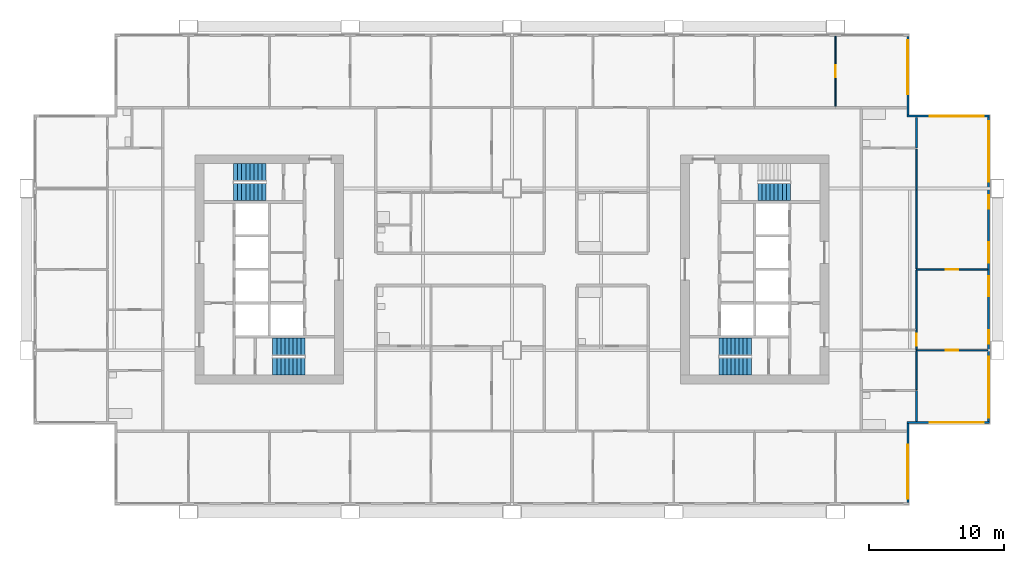
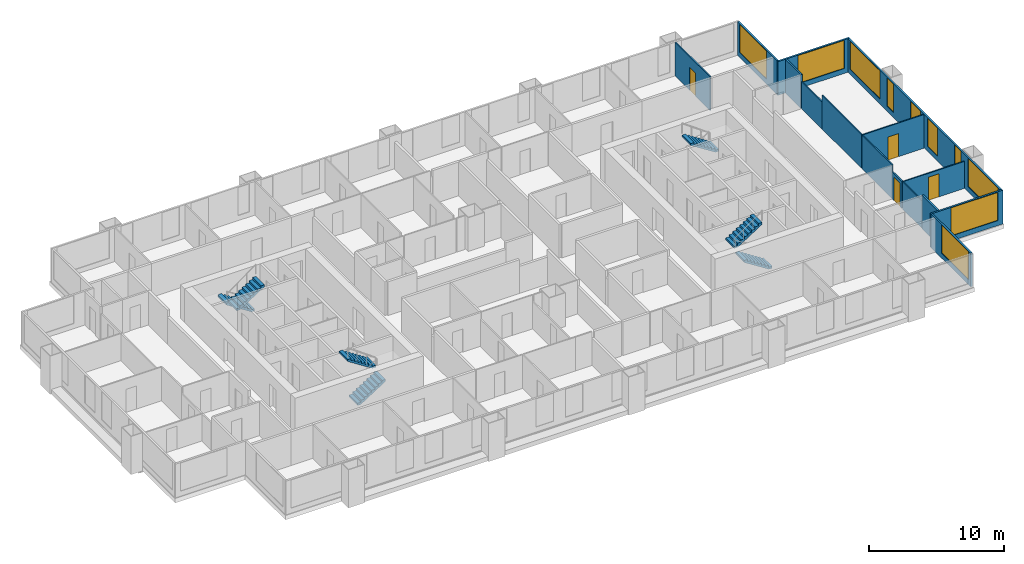
# One storey, part 9 of 12: 15 walls, 10 windows, 7 stair flights, 4 doors, 14 openings, 4 elements without a shape of their own.
"""IFC4 building model written with IfcOpenShell, lengths in metres."""

from ifc_helpers import new_model, si_unit, direction, frame, frame_2d, origin, place, context, subcontext, project, spatial, polyline, rectangle, outline, extrude, material, layer, layer_set, type_object, element, fill, aggregate, save


model = new_model("IFC4")

# Units and contexts
model_context = context("Model", 3, precision=1e-05, world=origin(), true_north=direction((0.0, 1.0)))
body_context = subcontext(model_context, "Body", "Model", "MODEL_VIEW")
ifc_project = project(units=[si_unit("LENGTHUNIT", "METRE"), si_unit("AREAUNIT", "SQUARE_METRE"), si_unit("VOLUMEUNIT", "CUBIC_METRE"), si_unit("PLANEANGLEUNIT", "RADIAN"), si_unit("MASSUNIT", "GRAM", prefix="KILO")], contexts=[model_context])

# Site, building, storey
site_placement = place(None, origin())
site = spatial("IfcSite", under=ifc_project, at=site_placement, CompositionType="ELEMENT")
building_placement = place(site_placement, origin())
building = spatial("IfcBuilding", under=site, at=building_placement, Name="Kitamizu Gate Tower and Museum", CompositionType="ELEMENT")
storey_placement = place(building_placement, frame((0.0, 0.0, 134.550048828125)))
storey = spatial("IfcBuildingStorey", under=building, at=storey_placement, Name="L35", CompositionType="ELEMENT", Elevation=134.550048828125)

# Wall, opening, door
ifc_material_1 = material(Name="Gypsum board on galvanised stud")
ifc_layer_1 = layer(ifc_material_1, 0.10009765625)
ifc_layer_set_1 = layer_set([ifc_layer_1], Name="Gypsum board on galvanised stud")
wall_type_1 = type_object("IfcWallType", Name="Partition 100 NOT RATED", PredefinedType="PARTITIONING", material=ifc_layer_set_1)
wall_1_placement = place(storey_placement, frame((60.0, 42.10009765625, 0.0), z_axis=(0.0, 0.0, 1.0), x_axis=(0.0, 1.0, 0.0)))
wall_1 = element("IfcWall", 1, at=wall_1_placement, inside=storey, type_object=wall_type_1, Name="Partition L35-114", PredefinedType="PARTITIONING", context=body_context, shape_type="SweptSolid", body=[
    extrude(rectangle(XDim=5.179931640625, YDim=0.10009765625, at=frame_2d((2.58984375, 0.0))), origin(), (0.0, 0.0, 1.0), 3.050048828125),
])
opening_1_placement = place(wall_1_placement, frame((2.139892578125, 0.0, 0.0)))
opening_1 = element("IfcOpeningElement", 2, at=opening_1_placement, cuts=wall_1, Name="Opening L35-041", PredefinedType="OPENING", context=body_context, shape_type="SweptSolid", body=[
    extrude(rectangle(XDim=0.89990234375, YDim=2.10009765625, at=frame_2d((0.449951171875, 1.050048828125))), frame((0.0, 0.06005859375, 0.0), z_axis=(0.0, -1.0, 0.0), x_axis=(1.0, 0.0, 0.0)), (0.0, 0.0, 1.0), 0.1201171875),
])
ifc_material_2 = material(Name="Timber door set", Category="wood")
door_type = type_object("IfcDoorType", Name="Room door 900", OperationType="NOTDEFINED", PredefinedType="DOOR", material=ifc_material_2)
door_1_placement = place(opening_1_placement, frame((0.89990234375, 0.0, 0.0), x_axis=(-1.0, 0.0, 0.0)))
door_1 = element("IfcDoor", 3, at=door_1_placement, inside=storey, type_object=door_type, Name="Door L35-041", OperationType="SINGLE_SWING_RIGHT", OverallHeight=2.10009765625, OverallWidth=0.89990234375, PredefinedType="DOOR", context=body_context, shape_type="SweptSolid", body=[
    extrude(rectangle(XDim=0.89990234375, YDim=2.10009765625, at=frame_2d((0.449951171875, 1.050048828125))), frame((0.0, 0.02490234375, 0.0), z_axis=(0.0, -1.0, 0.0), x_axis=(1.0, 0.0, 0.0)), (0.0, 0.0, 1.0), 0.050048828125),
])
fill(opening_1, door_1)

wall_2_placement = place(storey_placement, frame((71.280029296875, 24.0, 0.0), z_axis=(0.0, 0.0, 1.0), x_axis=(-1.0, 0.0, 0.0)))
wall_2 = element("IfcWall", 4, at=wall_2_placement, inside=storey, type_object=wall_type_1, Name="Partition L35-125", PredefinedType="PARTITIONING", context=body_context, shape_type="SweptSolid", body=[
    extrude(rectangle(XDim=5.280029296875, YDim=0.10009765625, at=frame_2d((2.64013671875, 0.0))), origin(), (0.0, 0.0, 1.0), 2.449951171875),
])
opening_2_placement = place(wall_2_placement, frame((2.18994140625, 0.0, 0.0)))
opening_2 = element("IfcOpeningElement", 5, at=opening_2_placement, cuts=wall_2, Name="Opening L35-049", PredefinedType="OPENING", context=body_context, shape_type="SweptSolid", body=[
    extrude(rectangle(XDim=0.89990234375, YDim=2.10009765625, at=frame_2d((0.449951171875, 1.050048828125))), frame((0.0, 0.06005859375, 0.0), z_axis=(0.0, -1.0, 0.0), x_axis=(1.0, 0.0, 0.0)), (0.0, 0.0, 1.0), 0.1201171875),
])
door_2_placement = place(opening_2_placement, origin())
door_2 = element("IfcDoor", 6, at=door_2_placement, inside=storey, type_object=door_type, Name="Door L35-049", OperationType="SINGLE_SWING_LEFT", OverallHeight=2.10009765625, OverallWidth=0.89990234375, PredefinedType="DOOR", context=body_context, shape_type="SweptSolid", body=[
    extrude(rectangle(XDim=0.89990234375, YDim=2.10009765625, at=frame_2d((0.449951171875, 1.050048828125))), frame((0.0, 0.02490234375, 0.0), z_axis=(0.0, -1.0, 0.0), x_axis=(1.0, 0.0, 0.0)), (0.0, 0.0, 1.0), 0.050048828125),
])
fill(opening_2, door_2)

# Wall
wall_3_placement = place(storey_placement, frame((66.0, 23.949951171875, 0.0), z_axis=(0.0, 0.0, 1.0), x_axis=(0.0, -1.0, 0.0)))
element("IfcWall", 7, at=wall_3_placement, inside=storey, type_object=wall_type_1, Name="Partition L35-127", PredefinedType="PARTITIONING", context=body_context, shape_type="SweptSolid", body=[
    extrude(rectangle(XDim=2.875, YDim=0.10009765625, at=frame_2d((1.4375, 0.0))), origin(), (0.0, 0.0, 1.0), 2.449951171875),
])

# Wall, opening, door
wall_4_placement = place(storey_placement, frame((71.280029296875, 30.0, 0.0), z_axis=(0.0, 0.0, 1.0), x_axis=(-1.0, 0.0, 0.0)))
wall_4 = element("IfcWall", 8, at=wall_4_placement, inside=storey, type_object=wall_type_1, Name="Partition L35-128", PredefinedType="PARTITIONING", context=body_context, shape_type="SweptSolid", body=[
    extrude(rectangle(XDim=5.280029296875, YDim=0.10009765625, at=frame_2d((2.64013671875, 0.0))), origin(), (0.0, 0.0, 1.0), 3.050048828125),
])
opening_3_placement = place(wall_4_placement, frame((2.18994140625, 0.0, 0.0)))
opening_3 = element("IfcOpeningElement", 9, at=opening_3_placement, cuts=wall_4, Name="Opening L35-048", PredefinedType="OPENING", context=body_context, shape_type="SweptSolid", body=[
    extrude(rectangle(XDim=0.89990234375, YDim=2.10009765625, at=frame_2d((0.449951171875, 1.050048828125))), frame((0.0, 0.06005859375, 0.0), z_axis=(0.0, -1.0, 0.0), x_axis=(1.0, 0.0, 0.0)), (0.0, 0.0, 1.0), 0.1201171875),
])
door_3_placement = place(opening_3_placement, origin())
door_3 = element("IfcDoor", 10, at=door_3_placement, inside=storey, type_object=door_type, Name="Door L35-048", OperationType="SINGLE_SWING_RIGHT", OverallHeight=2.10009765625, OverallWidth=0.89990234375, PredefinedType="DOOR", context=body_context, shape_type="SweptSolid", body=[
    extrude(rectangle(XDim=0.89990234375, YDim=2.10009765625, at=frame_2d((0.449951171875, 1.050048828125))), frame((0.0, 0.02490234375, 0.0), z_axis=(0.0, -1.0, 0.0), x_axis=(1.0, 0.0, 0.0)), (0.0, 0.0, 1.0), 0.050048828125),
])
fill(opening_3, door_3)

wall_5_placement = place(storey_placement, frame((66.0, 25.5, 0.0), z_axis=(0.0, 0.0, 1.0), x_axis=(0.0, -1.0, 0.0)))
wall_5 = element("IfcWall", 11, at=wall_5_placement, inside=storey, type_object=wall_type_1, Name="Partition L35-129", PredefinedType="PARTITIONING", context=body_context, shape_type="SweptSolid", body=[
    extrude(rectangle(XDim=1.449951171875, YDim=0.10009765625, at=frame_2d((0.72509765625, 0.0))), origin(), (0.0, 0.0, 1.0), 2.449951171875),
])
opening_4_placement = place(wall_5_placement, frame((0.27490234375, 0.0, 0.0)))
opening_4 = element("IfcOpeningElement", 12, at=opening_4_placement, cuts=wall_5, Name="Opening L35-046", PredefinedType="OPENING", context=body_context, shape_type="SweptSolid", body=[
    extrude(rectangle(XDim=0.89990234375, YDim=2.10009765625, at=frame_2d((0.449951171875, 1.050048828125))), frame((0.0, 0.06005859375, 0.0), z_axis=(0.0, -1.0, 0.0), x_axis=(1.0, 0.0, 0.0)), (0.0, 0.0, 1.0), 0.1201171875),
])
door_4_placement = place(opening_4_placement, origin())
door_4 = element("IfcDoor", 13, at=door_4_placement, inside=storey, type_object=door_type, Name="Door L35-046", OperationType="SINGLE_SWING_LEFT", OverallHeight=2.10009765625, OverallWidth=0.89990234375, PredefinedType="DOOR", context=body_context, shape_type="SweptSolid", body=[
    extrude(rectangle(XDim=0.89990234375, YDim=2.10009765625, at=frame_2d((0.449951171875, 1.050048828125))), frame((0.0, 0.02490234375, 0.0), z_axis=(0.0, -1.0, 0.0), x_axis=(1.0, 0.0, 0.0)), (0.0, 0.0, 1.0), 0.050048828125),
])
fill(opening_4, door_4)

# Walls
wall_6_placement = place(storey_placement, frame((66.0, 29.949951171875, 0.0), z_axis=(0.0, 0.0, 1.0), x_axis=(0.0, -1.0, 0.0)))
element("IfcWall", 14, at=wall_6_placement, inside=storey, type_object=wall_type_1, Name="Partition L35-130", PredefinedType="PARTITIONING", context=body_context, shape_type="SweptSolid", body=[
    extrude(rectangle(XDim=4.449951171875, YDim=0.10009765625, at=frame_2d((2.22509765625, 0.0))), origin(), (0.0, 0.0, 1.0), 3.050048828125),
])
wall_7_placement = place(storey_placement, frame((66.0, 38.925048828125, 0.0), z_axis=(0.0, 0.0, 1.0), x_axis=(0.0, -1.0, 0.0)))
element("IfcWall", 15, at=wall_7_placement, inside=storey, type_object=wall_type_1, Name="Partition L35-131", PredefinedType="PARTITIONING", context=body_context, shape_type="SweptSolid", body=[
    extrude(rectangle(XDim=3.025146484375, YDim=0.10009765625, at=frame_2d((1.5126953125, 0.0))), origin(), (0.0, 0.0, 1.0), 2.449951171875),
])
wall_8_placement = place(storey_placement, frame((66.0, 35.89990234375, 0.0), z_axis=(0.0, 0.0, 1.0), x_axis=(0.0, -1.0, 0.0)))
element("IfcWall", 16, at=wall_8_placement, inside=storey, type_object=wall_type_1, Name="Partition L35-132", PredefinedType="PARTITIONING", context=body_context, shape_type="SweptSolid", body=[
    extrude(rectangle(XDim=5.849853515625, YDim=0.10009765625, at=frame_2d((2.9248046875, 0.0))), origin(), (0.0, 0.0, 1.0), 3.050048828125),
])
ifc_material_3 = material(Name="Gypsum board on galvanised stud")
ifc_layer_2 = layer(ifc_material_3, 0.14990234375)
ifc_layer_set_2 = layer_set([ifc_layer_2], Name="Gypsum board on galvanised stud")
wall_type_2 = type_object("IfcWallType", Name="Partition 150", PredefinedType="PARTITIONING", material=ifc_layer_set_2)
for number, where, z_axis, x_axis, name in (
    (17, (66.0, 21.0, 0.0), (0.0, 0.0, 1.0), (0.0, -1.0, 0.0), "Partition L35-126"),
    (18, (66.0, 41.280029296875, 0.0), (0.0, 0.0, 1.0), (0.0, -1.0, 0.0), "Partition L35-133"),
):
    element("IfcWall", number, at=place(storey_placement, frame(where, z_axis=z_axis, x_axis=x_axis)), inside=storey, type_object=wall_type_2, Name=name, PredefinedType="PARTITIONING", context=body_context, shape_type="SweptSolid", body=[
        extrude(rectangle(XDim=2.280029296875, YDim=0.14990234375, at=frame_2d((1.14013671875, 0.0))), origin(), (0.0, 0.0, 1.0), 3.050048828125),
    ])

# Wall, opening, window
ifc_material_4 = material(Name="Bronze anodised aluminium frame with insulated spandrel and tinted glass", Category="aluminium")
ifc_layer_3 = layer(ifc_material_4, 0.14990234375)
ifc_layer_set_3 = layer_set([ifc_layer_3], Name="Bronze anodised aluminium frame with insulated spandrel and tinted glass")
wall_type_3 = type_object("IfcWallType", Name="WINDOW WALL 150 BRONZE FRAME EI 30", PredefinedType="ELEMENTEDWALL", material=ifc_layer_set_3)
wall_9_placement = place(storey_placement, frame((65.364990234375, 12.7099609375, 0.0), z_axis=(0.0, 0.0, 1.0), x_axis=(0.0, 1.0, 0.0)))
wall_9 = element("IfcWall", 19, at=wall_9_placement, inside=storey, type_object=wall_type_3, Name="Window wall east L35", PredefinedType="ELEMENTEDWALL", context=body_context, shape_type="SweptSolid", body=[
    extrude(rectangle(XDim=5.85009765625, YDim=0.14990234375, at=frame_2d((2.925048828125, 0.0))), origin(), (0.0, 0.0, 1.0), 3.050048828125),
])
opening_5_placement = place(wall_9_placement, frame((0.2900390625, 0.0, 0.449951171875)))
opening_5 = element("IfcOpeningElement", 20, at=opening_5_placement, cuts=wall_9, Name="Opening W16", PredefinedType="OPENING", context=body_context, shape_type="SweptSolid", body=[
    extrude(rectangle(XDim=4.0, YDim=2.550048828125, at=frame_2d((2.0, 1.27490234375))), frame((0.0, 0.0849609375, 0.0), z_axis=(0.0, -1.0, 0.0), x_axis=(1.0, 0.0, 0.0)), (0.0, 0.0, 1.0), 0.169921875),
])
ifc_material_5 = material(Name="Bronze anodised aluminium frame, tinted triple glazing", Category="aluminium")
window_type_1 = type_object("IfcWindowType", Name="WINDOW 4000 x 2550 SILL 450", PartitioningType="SINGLE_PANEL", PredefinedType="WINDOW", material=ifc_material_5)
window_1_placement = place(opening_5_placement, origin())
window_1 = element("IfcWindow", 21, at=window_1_placement, inside=storey, type_object=window_type_1, Name="Window W16 L35", OverallHeight=2.550048828125, OverallWidth=4.0, PartitioningType="SINGLE_PANEL", PredefinedType="WINDOW", context=body_context, shape_type="SweptSolid", body=[
    extrude(rectangle(XDim=4.0, YDim=2.550048828125, at=frame_2d((2.0, 1.27490234375))), frame((0.0, 0.030029296875, 0.0), z_axis=(0.0, -1.0, 0.0), x_axis=(1.0, 0.0, 0.0)), (0.0, 0.0, 1.0), 0.06005859375),
])
fill(opening_5, window_1)

wall_10_placement = place(storey_placement, frame((65.2900390625, 18.635009765625, 0.0), z_axis=(0.0, 0.0, 1.0), x_axis=(1.0, 0.0, 0.0)))
wall_10 = element("IfcWall", 22, at=wall_10_placement, inside=storey, type_object=wall_type_3, Name="Window wall south L35", PredefinedType="ELEMENTEDWALL", context=body_context, shape_type="SweptSolid", body=[
    extrude(rectangle(XDim=6.14990234375, YDim=0.14990234375, at=frame_2d((3.074951171875, 0.0))), origin(), (0.0, 0.0, 1.0), 3.050048828125),
])
opening_6_placement = place(wall_10_placement, frame((1.7099609375, 0.0, 0.449951171875)))
opening_6 = element("IfcOpeningElement", 23, at=opening_6_placement, cuts=wall_10, Name="Opening W16", PredefinedType="OPENING", context=body_context, shape_type="SweptSolid", body=[
    extrude(rectangle(XDim=4.0, YDim=2.550048828125, at=frame_2d((2.0, 1.27490234375))), frame((0.0, 0.0849609375, 0.0), z_axis=(0.0, -1.0, 0.0), x_axis=(1.0, 0.0, 0.0)), (0.0, 0.0, 1.0), 0.169921875),
])
window_2_placement = place(opening_6_placement, origin())
window_2 = element("IfcWindow", 24, at=window_2_placement, inside=storey, type_object=window_type_1, Name="Window W16 L35", OverallHeight=2.550048828125, OverallWidth=4.0, PartitioningType="SINGLE_PANEL", PredefinedType="WINDOW", context=body_context, shape_type="SweptSolid", body=[
    extrude(rectangle(XDim=4.0, YDim=2.550048828125, at=frame_2d((2.0, 1.27490234375))), frame((0.0, 0.030029296875, 0.0), z_axis=(0.0, -1.0, 0.0), x_axis=(1.0, 0.0, 0.0)), (0.0, 0.0, 1.0), 0.06005859375),
])
fill(opening_6, window_2)

# Wall, openings, windows
wall_11_placement = place(storey_placement, frame((71.364990234375, 18.7099609375, 0.0), z_axis=(0.0, 0.0, 1.0), x_axis=(0.0, 1.0, 0.0)))
wall_11 = element("IfcWall", 25, at=wall_11_placement, inside=storey, type_object=wall_type_3, Name="Window wall east L35", PredefinedType="ELEMENTEDWALL", context=body_context, shape_type="SweptSolid", body=[
    extrude(rectangle(XDim=22.580078125, YDim=0.14990234375, at=frame_2d((11.2900390625, 0.0))), origin(), (0.0, 0.0, 1.0), 3.050048828125),
])
opening_7_placement = place(wall_11_placement, frame((0.2900390625, 0.0, 0.449951171875)))
opening_7 = element("IfcOpeningElement", 26, at=opening_7_placement, cuts=wall_11, Name="Opening W15", PredefinedType="OPENING", context=body_context, shape_type="SweptSolid", body=[
    extrude(rectangle(XDim=4.5, YDim=2.550048828125, at=frame_2d((2.25, 1.27490234375))), frame((0.0, 0.0849609375, 0.0), z_axis=(0.0, -1.0, 0.0), x_axis=(1.0, 0.0, 0.0)), (0.0, 0.0, 1.0), 0.169921875),
])
opening_8_placement = place(wall_11_placement, frame((5.7900390625, 0.0, 0.449951171875)))
opening_8 = element("IfcOpeningElement", 27, at=opening_8_placement, cuts=wall_11, Name="Opening W26", PredefinedType="OPENING", context=body_context, shape_type="SweptSolid", body=[
    extrude(rectangle(XDim=1.0, YDim=2.550048828125, at=frame_2d((0.5, 1.27490234375))), frame((0.0, 0.0849609375, 0.0), z_axis=(0.0, -1.0, 0.0), x_axis=(1.0, 0.0, 0.0)), (0.0, 0.0, 1.0), 0.169921875),
])
opening_9_placement = place(wall_11_placement, frame((9.2900390625, 0.0, 0.449951171875)))
opening_9 = element("IfcOpeningElement", 28, at=opening_9_placement, cuts=wall_11, Name="Opening W28", PredefinedType="OPENING", context=body_context, shape_type="SweptSolid", body=[
    extrude(rectangle(XDim=1.5, YDim=2.550048828125, at=frame_2d((0.75, 1.27490234375))), frame((0.0, 0.0849609375, 0.0), z_axis=(0.0, -1.0, 0.0), x_axis=(1.0, 0.0, 0.0)), (0.0, 0.0, 1.0), 0.169921875),
])
opening_10_placement = place(wall_11_placement, frame((11.7900390625, 0.0, 0.449951171875)))
opening_10 = element("IfcOpeningElement", 29, at=opening_10_placement, cuts=wall_11, Name="Opening W28", PredefinedType="OPENING", context=body_context, shape_type="SweptSolid", body=[
    extrude(rectangle(XDim=1.5, YDim=2.550048828125, at=frame_2d((0.75, 1.27490234375))), frame((0.0, 0.0849609375, 0.0), z_axis=(0.0, -1.0, 0.0), x_axis=(1.0, 0.0, 0.0)), (0.0, 0.0, 1.0), 0.169921875),
])
opening_11_placement = place(wall_11_placement, frame((15.7900390625, 0.0, 0.449951171875)))
opening_11 = element("IfcOpeningElement", 30, at=opening_11_placement, cuts=wall_11, Name="Opening W26", PredefinedType="OPENING", context=body_context, shape_type="SweptSolid", body=[
    extrude(rectangle(XDim=1.0, YDim=2.550048828125, at=frame_2d((0.5, 1.27490234375))), frame((0.0, 0.0849609375, 0.0), z_axis=(0.0, -1.0, 0.0), x_axis=(1.0, 0.0, 0.0)), (0.0, 0.0, 1.0), 0.169921875),
])
opening_12_placement = place(wall_11_placement, frame((17.7900390625, 0.0, 0.449951171875)))
opening_12 = element("IfcOpeningElement", 31, at=opening_12_placement, cuts=wall_11, Name="Opening W15", PredefinedType="OPENING", context=body_context, shape_type="SweptSolid", body=[
    extrude(rectangle(XDim=4.5, YDim=2.550048828125, at=frame_2d((2.25, 1.27490234375))), frame((0.0, 0.0849609375, 0.0), z_axis=(0.0, -1.0, 0.0), x_axis=(1.0, 0.0, 0.0)), (0.0, 0.0, 1.0), 0.169921875),
])
ifc_material_6 = material(Name="Bronze anodised aluminium frame, tinted triple glazing", Category="aluminium")
window_type_2 = type_object("IfcWindowType", Name="WINDOW 1000 x 2550 SILL 450", PartitioningType="SINGLE_PANEL", PredefinedType="WINDOW", material=ifc_material_6)
window_3_placement = place(opening_8_placement, origin())
window_3 = element("IfcWindow", 32, at=window_3_placement, inside=storey, type_object=window_type_2, Name="Window W26 L35", OverallHeight=2.550048828125, OverallWidth=1.0, PartitioningType="SINGLE_PANEL", PredefinedType="WINDOW", context=body_context, shape_type="SweptSolid", body=[
    extrude(rectangle(XDim=1.0, YDim=2.550048828125, at=frame_2d((0.5, 1.27490234375))), frame((0.0, 0.030029296875, 0.0), z_axis=(0.0, -1.0, 0.0), x_axis=(1.0, 0.0, 0.0)), (0.0, 0.0, 1.0), 0.06005859375),
])
fill(opening_8, window_3)
window_4_placement = place(opening_11_placement, origin())
window_4 = element("IfcWindow", 33, at=window_4_placement, inside=storey, type_object=window_type_2, Name="Window W26 L35", OverallHeight=2.550048828125, OverallWidth=1.0, PartitioningType="SINGLE_PANEL", PredefinedType="WINDOW", context=body_context, shape_type="SweptSolid", body=[
    extrude(rectangle(XDim=1.0, YDim=2.550048828125, at=frame_2d((0.5, 1.27490234375))), frame((0.0, 0.030029296875, 0.0), z_axis=(0.0, -1.0, 0.0), x_axis=(1.0, 0.0, 0.0)), (0.0, 0.0, 1.0), 0.06005859375),
])
fill(opening_11, window_4)
ifc_material_7 = material(Name="Bronze anodised aluminium frame, tinted triple glazing", Category="aluminium")
window_type_3 = type_object("IfcWindowType", Name="WINDOW 1500 x 2550 SILL 450", PartitioningType="SINGLE_PANEL", PredefinedType="WINDOW", material=ifc_material_7)
window_5_placement = place(opening_9_placement, origin())
window_5 = element("IfcWindow", 34, at=window_5_placement, inside=storey, type_object=window_type_3, Name="Window W28 L35", OverallHeight=2.550048828125, OverallWidth=1.5, PartitioningType="SINGLE_PANEL", PredefinedType="WINDOW", context=body_context, shape_type="SweptSolid", body=[
    extrude(rectangle(XDim=1.5, YDim=2.550048828125, at=frame_2d((0.75, 1.27490234375))), frame((0.0, 0.030029296875, 0.0), z_axis=(0.0, -1.0, 0.0), x_axis=(1.0, 0.0, 0.0)), (0.0, 0.0, 1.0), 0.06005859375),
])
fill(opening_9, window_5)
window_6_placement = place(opening_10_placement, origin())
window_6 = element("IfcWindow", 35, at=window_6_placement, inside=storey, type_object=window_type_3, Name="Window W28 L35", OverallHeight=2.550048828125, OverallWidth=1.5, PartitioningType="SINGLE_PANEL", PredefinedType="WINDOW", context=body_context, shape_type="SweptSolid", body=[
    extrude(rectangle(XDim=1.5, YDim=2.550048828125, at=frame_2d((0.75, 1.27490234375))), frame((0.0, 0.030029296875, 0.0), z_axis=(0.0, -1.0, 0.0), x_axis=(1.0, 0.0, 0.0)), (0.0, 0.0, 1.0), 0.06005859375),
])
fill(opening_10, window_6)
ifc_material_8 = material(Name="Bronze anodised aluminium frame, tinted triple glazing", Category="aluminium")
window_type_4 = type_object("IfcWindowType", Name="WINDOW 4500 x 2550 SILL 450", PartitioningType="SINGLE_PANEL", PredefinedType="WINDOW", material=ifc_material_8)
window_7_placement = place(opening_7_placement, origin())
window_7 = element("IfcWindow", 36, at=window_7_placement, inside=storey, type_object=window_type_4, Name="Window W15 L35", OverallHeight=2.550048828125, OverallWidth=4.5, PartitioningType="SINGLE_PANEL", PredefinedType="WINDOW", context=body_context, shape_type="SweptSolid", body=[
    extrude(rectangle(XDim=4.5, YDim=2.550048828125, at=frame_2d((2.25, 1.27490234375))), frame((0.0, 0.030029296875, 0.0), z_axis=(0.0, -1.0, 0.0), x_axis=(1.0, 0.0, 0.0)), (0.0, 0.0, 1.0), 0.06005859375),
])
fill(opening_7, window_7)
window_8_placement = place(opening_12_placement, origin())
window_8 = element("IfcWindow", 37, at=window_8_placement, inside=storey, type_object=window_type_4, Name="Window W15 L35", OverallHeight=2.550048828125, OverallWidth=4.5, PartitioningType="SINGLE_PANEL", PredefinedType="WINDOW", context=body_context, shape_type="SweptSolid", body=[
    extrude(rectangle(XDim=4.5, YDim=2.550048828125, at=frame_2d((2.25, 1.27490234375))), frame((0.0, 0.030029296875, 0.0), z_axis=(0.0, -1.0, 0.0), x_axis=(1.0, 0.0, 0.0)), (0.0, 0.0, 1.0), 0.06005859375),
])
fill(opening_12, window_8)

# Wall, opening, window
wall_12_placement = place(storey_placement, frame((65.2900390625, 41.364990234375, 0.0), z_axis=(0.0, 0.0, 1.0), x_axis=(1.0, 0.0, 0.0)))
wall_12 = element("IfcWall", 38, at=wall_12_placement, inside=storey, type_object=wall_type_3, Name="Window wall north L35", PredefinedType="ELEMENTEDWALL", context=body_context, shape_type="SweptSolid", body=[
    extrude(rectangle(XDim=6.14990234375, YDim=0.14990234375, at=frame_2d((3.074951171875, 0.0))), origin(), (0.0, 0.0, 1.0), 3.050048828125),
])
opening_13_placement = place(wall_12_placement, frame((1.7099609375, 0.0, 0.449951171875)))
opening_13 = element("IfcOpeningElement", 39, at=opening_13_placement, cuts=wall_12, Name="Opening W16", PredefinedType="OPENING", context=body_context, shape_type="SweptSolid", body=[
    extrude(rectangle(XDim=4.0, YDim=2.550048828125, at=frame_2d((2.0, 1.27490234375))), frame((0.0, 0.0849609375, 0.0), z_axis=(0.0, -1.0, 0.0), x_axis=(1.0, 0.0, 0.0)), (0.0, 0.0, 1.0), 0.169921875),
])
window_9_placement = place(opening_13_placement, origin())
window_9 = element("IfcWindow", 40, at=window_9_placement, inside=storey, type_object=window_type_1, Name="Window W16 L35", OverallHeight=2.550048828125, OverallWidth=4.0, PartitioningType="SINGLE_PANEL", PredefinedType="WINDOW", context=body_context, shape_type="SweptSolid", body=[
    extrude(rectangle(XDim=4.0, YDim=2.550048828125, at=frame_2d((2.0, 1.27490234375))), frame((0.0, 0.030029296875, 0.0), z_axis=(0.0, -1.0, 0.0), x_axis=(1.0, 0.0, 0.0)), (0.0, 0.0, 1.0), 0.06005859375),
])
fill(opening_13, window_9)

wall_13_placement = place(storey_placement, frame((65.364990234375, 41.43994140625, 0.0), z_axis=(0.0, 0.0, 1.0), x_axis=(0.0, 1.0, 0.0)))
wall_13 = element("IfcWall", 41, at=wall_13_placement, inside=storey, type_object=wall_type_3, Name="Window wall east L35", PredefinedType="ELEMENTEDWALL", context=body_context, shape_type="SweptSolid", body=[
    extrude(rectangle(XDim=5.85009765625, YDim=0.14990234375, at=frame_2d((2.925048828125, 0.0))), origin(), (0.0, 0.0, 1.0), 3.050048828125),
])
opening_14_placement = place(wall_13_placement, frame((1.56005859375, 0.0, 0.449951171875)))
opening_14 = element("IfcOpeningElement", 42, at=opening_14_placement, cuts=wall_13, Name="Opening W16", PredefinedType="OPENING", context=body_context, shape_type="SweptSolid", body=[
    extrude(rectangle(XDim=4.0, YDim=2.550048828125, at=frame_2d((2.0, 1.27490234375))), frame((0.0, 0.0849609375, 0.0), z_axis=(0.0, -1.0, 0.0), x_axis=(1.0, 0.0, 0.0)), (0.0, 0.0, 1.0), 0.169921875),
])
window_10_placement = place(opening_14_placement, origin())
window_10 = element("IfcWindow", 43, at=window_10_placement, inside=storey, type_object=window_type_1, Name="Window W16 L35", OverallHeight=2.550048828125, OverallWidth=4.0, PartitioningType="SINGLE_PANEL", PredefinedType="WINDOW", context=body_context, shape_type="SweptSolid", body=[
    extrude(rectangle(XDim=4.0, YDim=2.550048828125, at=frame_2d((2.0, 1.27490234375))), frame((0.0, 0.030029296875, 0.0), z_axis=(0.0, -1.0, 0.0), x_axis=(1.0, 0.0, 0.0)), (0.0, 0.0, 1.0), 0.06005859375),
])
fill(opening_14, window_10)

# Stair, stair flights
ifc_material_9 = material(Name="Concrete Fc42", Category="concrete")
stair_type = type_object("IfcStairType", Name="Exit stair 1275 wide 192 rise 300 going", PredefinedType="HALF_TURN_STAIR", material=ifc_material_9)
stair_1_placement = place(storey_placement, origin())
stair_1 = element("IfcStair", 44, at=stair_1_placement, inside=storey, type_object=stair_type, Name="Exit stair ST1", PredefinedType="HALF_TURN_STAIR")
ifc_material_10 = material(Name="Concrete Fc42", Category="concrete")
stair_flight_type = type_object("IfcStairFlightType", Name="Stair flight 1275 wide 192 rise 300 going", PredefinedType="STRAIGHT", material=ifc_material_10)
stair_flight_1_placement = place(storey_placement, frame((18.25, 22.78759765625, 0.0), z_axis=(0.0, 0.0, 1.0), x_axis=(1.0, 0.0, 0.0)))
stair_flight_1 = element("IfcStairFlight", 45, at=stair_flight_1_placement, type_object=stair_flight_type, Name="ST1 flight 1", NumberOfRisers=9, NumberOfTreads=8, PredefinedType="STRAIGHT", RiserHeight=0.191666667, TreadLength=0.3, context=body_context, shape_type="SweptSolid", body=[
    extrude(outline(polyline([(0.0, 0.0), (0.0, 0.191650390625), (0.300048828125, 0.191650390625), (0.300048828125, 0.38330078125), (0.60009765625, 0.38330078125), (0.60009765625, 0.574951171875), (0.89990234375, 0.574951171875), (0.89990234375, 0.7666015625), (1.199951171875, 0.7666015625), (1.199951171875, 0.958251953125), (1.5, 0.958251953125), (1.5, 1.14990234375), (1.800048828125, 1.14990234375), (1.800048828125, 1.341552734375), (2.10009765625, 1.341552734375), (2.10009765625, 1.533447265625), (2.39990234375, 1.533447265625), (2.39990234375, 1.72509765625), (2.39990234375, 1.35546875), (0.2783203125, 0.0), (0.0, 0.0)])), frame((0.0, 0.637451171875, 0.0), z_axis=(0.0, -1.0, 0.0), x_axis=(1.0, 0.0, 0.0)), (0.0, 0.0, 1.0), 1.27490234375),
])
stair_flight_2_placement = place(storey_placement, frame((20.64990234375, 24.262451171875, 1.724853515625), z_axis=(0.0, 0.0, 1.0), x_axis=(-1.0, 0.0, 0.0)))
stair_flight_2 = element("IfcStairFlight", 46, at=stair_flight_2_placement, type_object=stair_flight_type, Name="ST1 flight 2", NumberOfRisers=9, NumberOfTreads=8, PredefinedType="STRAIGHT", RiserHeight=0.191666667, TreadLength=0.3, context=body_context, shape_type="SweptSolid", body=[
    extrude(outline(polyline([(0.0, 0.0), (0.0, 0.191650390625), (0.300048828125, 0.191650390625), (0.300048828125, 0.38330078125), (0.60009765625, 0.38330078125), (0.60009765625, 0.574951171875), (0.89990234375, 0.574951171875), (0.89990234375, 0.7666015625), (1.199951171875, 0.7666015625), (1.199951171875, 0.958251953125), (1.5, 0.958251953125), (1.5, 1.14990234375), (1.800048828125, 1.14990234375), (1.800048828125, 1.341552734375), (2.10009765625, 1.341552734375), (2.10009765625, 1.533447265625), (2.39990234375, 1.533447265625), (2.39990234375, 1.72509765625), (2.39990234375, 1.35546875), (0.2783203125, 0.0), (0.0, 0.0)])), frame((0.0, 0.637451171875, 0.0), z_axis=(0.0, -1.0, 0.0), x_axis=(1.0, 0.0, 0.0)), (0.0, 0.0, 1.0), 1.27490234375),
])
aggregate(stair_1, [stair_flight_1, stair_flight_2])

stair_2_placement = place(storey_placement, origin())
stair_2 = element("IfcStair", 47, at=stair_2_placement, inside=storey, type_object=stair_type, Name="Exit stair ST2", PredefinedType="HALF_TURN_STAIR")
stair_flight_3_placement = place(storey_placement, frame((17.75, 37.21240234375, 0.0), z_axis=(0.0, 0.0, 1.0), x_axis=(-1.0, 0.0, 0.0)))
stair_flight_3 = element("IfcStairFlight", 48, at=stair_flight_3_placement, type_object=stair_flight_type, Name="ST2 flight 1", NumberOfRisers=9, NumberOfTreads=8, PredefinedType="STRAIGHT", RiserHeight=0.191666667, TreadLength=0.3, context=body_context, shape_type="SweptSolid", body=[
    extrude(outline(polyline([(0.0, 0.0), (0.0, 0.191650390625), (0.300048828125, 0.191650390625), (0.300048828125, 0.38330078125), (0.60009765625, 0.38330078125), (0.60009765625, 0.574951171875), (0.89990234375, 0.574951171875), (0.89990234375, 0.7666015625), (1.199951171875, 0.7666015625), (1.199951171875, 0.958251953125), (1.5, 0.958251953125), (1.5, 1.14990234375), (1.800048828125, 1.14990234375), (1.800048828125, 1.341552734375), (2.10009765625, 1.341552734375), (2.10009765625, 1.533447265625), (2.39990234375, 1.533447265625), (2.39990234375, 1.72509765625), (2.39990234375, 1.35546875), (0.2783203125, 0.0), (0.0, 0.0)])), frame((0.0, 0.637451171875, 0.0), z_axis=(0.0, -1.0, 0.0), x_axis=(1.0, 0.0, 0.0)), (0.0, 0.0, 1.0), 1.27490234375),
])
stair_flight_4_placement = place(storey_placement, frame((15.35009765625, 35.737548828125, 1.724853515625), z_axis=(0.0, 0.0, 1.0), x_axis=(1.0, 0.0, 0.0)))
stair_flight_4 = element("IfcStairFlight", 49, at=stair_flight_4_placement, type_object=stair_flight_type, Name="ST2 flight 2", NumberOfRisers=9, NumberOfTreads=8, PredefinedType="STRAIGHT", RiserHeight=0.191666667, TreadLength=0.3, context=body_context, shape_type="SweptSolid", body=[
    extrude(outline(polyline([(0.0, 0.0), (0.0, 0.191650390625), (0.300048828125, 0.191650390625), (0.300048828125, 0.38330078125), (0.60009765625, 0.38330078125), (0.60009765625, 0.574951171875), (0.89990234375, 0.574951171875), (0.89990234375, 0.7666015625), (1.199951171875, 0.7666015625), (1.199951171875, 0.958251953125), (1.5, 0.958251953125), (1.5, 1.14990234375), (1.800048828125, 1.14990234375), (1.800048828125, 1.341552734375), (2.10009765625, 1.341552734375), (2.10009765625, 1.533447265625), (2.39990234375, 1.533447265625), (2.39990234375, 1.72509765625), (2.39990234375, 1.35546875), (0.2783203125, 0.0), (0.0, 0.0)])), frame((0.0, 0.637451171875, 0.0), z_axis=(0.0, -1.0, 0.0), x_axis=(1.0, 0.0, 0.0)), (0.0, 0.0, 1.0), 1.27490234375),
])
aggregate(stair_2, [stair_flight_3, stair_flight_4])

stair_3_placement = place(storey_placement, origin())
stair_3 = element("IfcStair", 50, at=stair_3_placement, inside=storey, type_object=stair_type, Name="Exit stair ST3", PredefinedType="HALF_TURN_STAIR")
stair_flight_5_placement = place(storey_placement, frame((53.75, 22.78759765625, 0.0), z_axis=(0.0, 0.0, 1.0), x_axis=(-1.0, 0.0, 0.0)))
stair_flight_5 = element("IfcStairFlight", 51, at=stair_flight_5_placement, type_object=stair_flight_type, Name="ST3 flight 1", NumberOfRisers=9, NumberOfTreads=8, PredefinedType="STRAIGHT", RiserHeight=0.191666667, TreadLength=0.3, context=body_context, shape_type="SweptSolid", body=[
    extrude(outline(polyline([(0.0, 0.0), (0.0, 0.191650390625), (0.300048828125, 0.191650390625), (0.300048828125, 0.38330078125), (0.60009765625, 0.38330078125), (0.60009765625, 0.574951171875), (0.89990234375, 0.574951171875), (0.89990234375, 0.7666015625), (1.199951171875, 0.7666015625), (1.199951171875, 0.958251953125), (1.5, 0.958251953125), (1.5, 1.14990234375), (1.800048828125, 1.14990234375), (1.800048828125, 1.341552734375), (2.10009765625, 1.341552734375), (2.10009765625, 1.533447265625), (2.39990234375, 1.533447265625), (2.39990234375, 1.72509765625), (2.39990234375, 1.35546875), (0.2783203125, 0.0), (0.0, 0.0)])), frame((0.0, 0.637451171875, 0.0), z_axis=(0.0, -1.0, 0.0), x_axis=(1.0, 0.0, 0.0)), (0.0, 0.0, 1.0), 1.27490234375),
])
stair_flight_6_placement = place(storey_placement, frame((51.35009765625, 24.262451171875, 1.724853515625), z_axis=(0.0, 0.0, 1.0), x_axis=(1.0, 0.0, 0.0)))
stair_flight_6 = element("IfcStairFlight", 52, at=stair_flight_6_placement, type_object=stair_flight_type, Name="ST3 flight 2", NumberOfRisers=9, NumberOfTreads=8, PredefinedType="STRAIGHT", RiserHeight=0.191666667, TreadLength=0.3, context=body_context, shape_type="SweptSolid", body=[
    extrude(outline(polyline([(0.0, 0.0), (0.0, 0.191650390625), (0.300048828125, 0.191650390625), (0.300048828125, 0.38330078125), (0.60009765625, 0.38330078125), (0.60009765625, 0.574951171875), (0.89990234375, 0.574951171875), (0.89990234375, 0.7666015625), (1.199951171875, 0.7666015625), (1.199951171875, 0.958251953125), (1.5, 0.958251953125), (1.5, 1.14990234375), (1.800048828125, 1.14990234375), (1.800048828125, 1.341552734375), (2.10009765625, 1.341552734375), (2.10009765625, 1.533447265625), (2.39990234375, 1.533447265625), (2.39990234375, 1.72509765625), (2.39990234375, 1.35546875), (0.2783203125, 0.0), (0.0, 0.0)])), frame((0.0, 0.637451171875, 0.0), z_axis=(0.0, -1.0, 0.0), x_axis=(1.0, 0.0, 0.0)), (0.0, 0.0, 1.0), 1.27490234375),
])
aggregate(stair_3, [stair_flight_5, stair_flight_6])

# Stair, stair flight
stair_4_placement = place(storey_placement, origin())
stair_4 = element("IfcStair", 53, at=stair_4_placement, inside=storey, type_object=stair_type, Name="Exit stair ST4", PredefinedType="HALF_TURN_STAIR")
stair_flight_7_placement = place(storey_placement, frame((56.64990234375, 35.737548828125, 1.724853515625), z_axis=(0.0, 0.0, 1.0), x_axis=(-1.0, 0.0, 0.0)))
stair_flight_7 = element("IfcStairFlight", 54, at=stair_flight_7_placement, type_object=stair_flight_type, Name="ST4 flight 2", NumberOfRisers=9, NumberOfTreads=8, PredefinedType="STRAIGHT", RiserHeight=0.191666667, TreadLength=0.3, context=body_context, shape_type="SweptSolid", body=[
    extrude(outline(polyline([(0.0, 0.0), (0.0, 0.191650390625), (0.300048828125, 0.191650390625), (0.300048828125, 0.38330078125), (0.60009765625, 0.38330078125), (0.60009765625, 0.574951171875), (0.89990234375, 0.574951171875), (0.89990234375, 0.7666015625), (1.199951171875, 0.7666015625), (1.199951171875, 0.958251953125), (1.5, 0.958251953125), (1.5, 1.14990234375), (1.800048828125, 1.14990234375), (1.800048828125, 1.341552734375), (2.10009765625, 1.341552734375), (2.10009765625, 1.533447265625), (2.39990234375, 1.533447265625), (2.39990234375, 1.72509765625), (2.39990234375, 1.35546875), (0.2783203125, 0.0), (0.0, 0.0)])), frame((0.0, 0.637451171875, 0.0), z_axis=(0.0, -1.0, 0.0), x_axis=(1.0, 0.0, 0.0)), (0.0, 0.0, 1.0), 1.27490234375),
])
aggregate(stair_4, [stair_flight_7])

save(model, "model.ifc")
